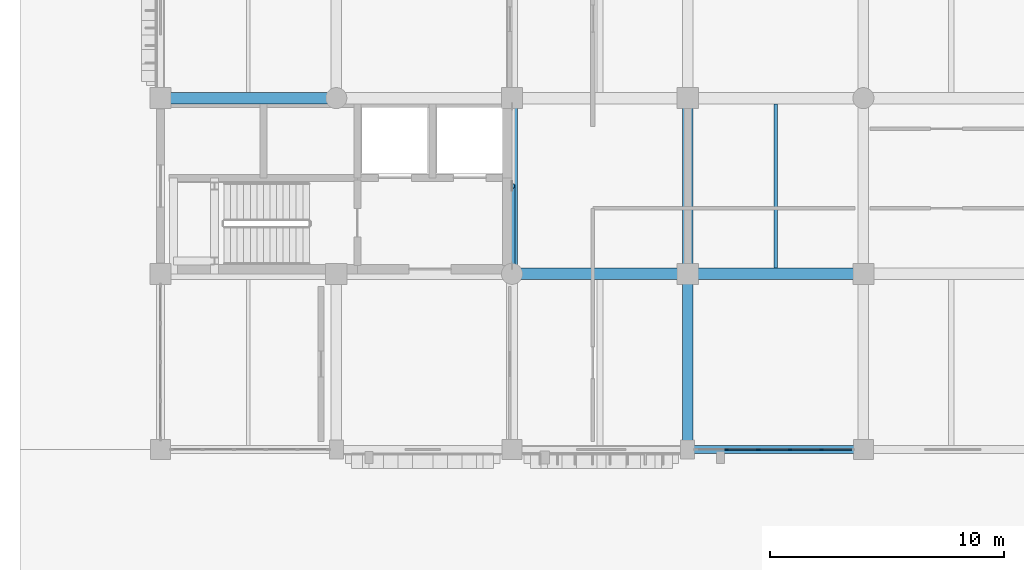
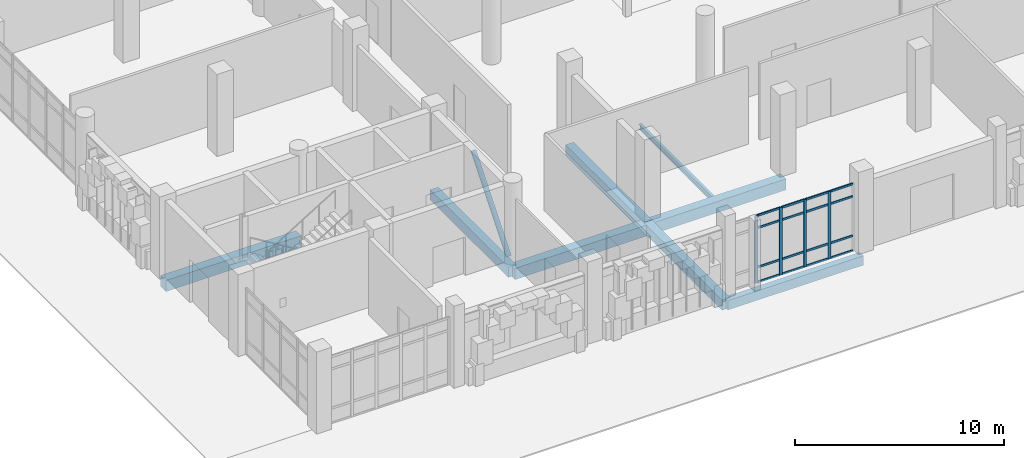
# One storey, part 15 of 125: 21 members, 8 beams, 1 element without a shape of its own.
"""IFC4 building model written with IfcOpenShell, lengths in metres."""

import ifcopenshell
import ifcopenshell.guid

model = None  # the IFC model being written
_history = None  # IfcOwnerHistory: only IFC2X3 demands one
_inside = {}  # id of a spatial element -> (the spatial element, [elements in it])
_under = {}  # id of a project, library or spatial element -> (it, [spatial elements below it])
_declared = {}  # id of a project -> (the project, [libraries it declares])
_typed = {}  # id of a type object -> (the type object, [elements of that type])
_made_of = {}  # id of a material, layer set ... -> (it, [elements and type objects made of it])


def new_model(schema):
    """Start an empty IFC model of exactly this schema.

    Asked for "IFC4X3", IfcOpenShell would pick the latest addendum, in which some entities
    have other attributes; the version numbers below select the first issue.
    IFC2X3 requires an IfcOwnerHistory on every rooted entity: one is made here for all.
    """
    global model, _history
    if schema == "IFC4X3":
        model = ifcopenshell.file(schema_version=(4, 3, 0, 0))
    else:
        model = ifcopenshell.file(schema=schema)
    _inside.clear()
    _under.clear()
    _declared.clear()
    _typed.clear()
    _made_of.clear()
    _history = None
    if model.schema == "IFC2X3":
        org = make("IfcOrganization", Name="unknown")
        user = make(
            "IfcPersonAndOrganization",
            ThePerson=make("IfcPerson", FamilyName="unknown"),
            TheOrganization=org,
        )
        app = make(
            "IfcApplication",
            ApplicationDeveloper=org,
            Version="unknown",
            ApplicationFullName="unknown",
            ApplicationIdentifier="unknown",
        )
        _history = make(
            "IfcOwnerHistory",
            OwningUser=user,
            OwningApplication=app,
            ChangeAction="ADDED",
            CreationDate=0,
        )
    return model


def make(cls, **values):
    """One entity of the class cls with the attributes given. An attribute that is None is left unset."""
    return model.create_entity(
        cls, **{name: value for name, value in values.items() if value is not None}
    )


def rooted(cls, **values):
    """An entity with a GlobalId (a new one), such as an element, a storey or a relation."""
    return make(cls, GlobalId=ifcopenshell.guid.new(), OwnerHistory=_history, **values)


def si_unit(unit_type, name, prefix=None):
    """IfcSIUnit, for example si_unit("LENGTHUNIT", "METRE", prefix="MILLI")."""
    return make("IfcSIUnit", UnitType=unit_type, Prefix=prefix, Name=name)


def assignment(units):
    """IfcUnitAssignment: the units of a project."""
    return None if units is None else make("IfcUnitAssignment", Units=units)


def point(xyz):
    """IfcCartesianPoint."""
    return None if xyz is None else make("IfcCartesianPoint", Coordinates=xyz)


def direction(xyz):
    """IfcDirection."""
    return None if xyz is None else make("IfcDirection", DirectionRatios=xyz)


def frame(location, z_axis=None, x_axis=None):
    """IfcAxis2Placement3D, a coordinate frame: its origin and axes. An axis left out is left unset."""
    return make(
        "IfcAxis2Placement3D",
        Location=point(location),
        Axis=direction(z_axis),
        RefDirection=direction(x_axis),
    )


def frame_2d(location, x_axis=None):
    """IfcAxis2Placement2D, a coordinate frame in the plane: its origin and x axis."""
    return make(
        "IfcAxis2Placement2D", Location=point(location), RefDirection=direction(x_axis)
    )


def origin():
    """The frame at (0, 0, 0) with its axes left unset."""
    return frame((0.0, 0.0, 0.0))


def origin_2d():
    """The frame at (0, 0) in the plane with its x axis left unset."""
    return frame_2d((0.0, 0.0))


def place(relative_to, where):
    """IfcLocalPlacement: puts the frame where relative to a parent placement (None: the world)."""
    return make(
        "IfcLocalPlacement", PlacementRelTo=relative_to, RelativePlacement=where
    )


def context(
    kind, dimensions, precision=None, world=None, true_north=None, identifier=None
):
    """IfcGeometricRepresentationContext, for example the 3D "Model" context."""
    return make(
        "IfcGeometricRepresentationContext",
        ContextIdentifier=identifier,
        ContextType=kind,
        CoordinateSpaceDimension=dimensions,
        Precision=precision,
        WorldCoordinateSystem=world,
        TrueNorth=true_north,
    )


def subcontext(parent, identifier, kind, view, scale=None):
    """IfcGeometricRepresentationSubContext, for example "Body" below "Model"."""
    return make(
        "IfcGeometricRepresentationSubContext",
        ContextIdentifier=identifier,
        ContextType=kind,
        ParentContext=parent,
        TargetScale=scale,
        TargetView=view,
    )


def project(units=None, contexts=None):
    """IfcProject with its units and contexts."""
    return rooted(
        "IfcProject",
        Name="project",
        RepresentationContexts=contexts,
        UnitsInContext=assignment(units),
    )


def spatial(cls, under=None, at=None, **own):
    """A site, building, storey or space (cls), placed at a placement, below another one or the project."""
    s = rooted(cls, ObjectPlacement=at, **own)
    if under is not None:
        _under.setdefault(under.id(), (under, []))[1].append(s)
    return s


def profile(cls, at=None, kind="AREA", **sizes):
    """A parametric profile (cls). Its sizes go by their IFC names, for example OverallWidth=200.0."""
    return make(cls, ProfileType=kind, Position=at, **sizes)


def rectangle(**sizes):
    """IfcRectangleProfileDef."""
    return profile("IfcRectangleProfileDef", **sizes)


def hollow_circle(**sizes):
    """IfcCircleHollowProfileDef."""
    return profile("IfcCircleHollowProfileDef", **sizes)


def i_section(**sizes):
    """IfcIShapeProfileDef."""
    return profile("IfcIShapeProfileDef", **sizes)


def extrude(swept, where, along, depth):
    """IfcExtrudedAreaSolid: the profile swept, set in the frame where, extruded along a direction by depth."""
    return make(
        "IfcExtrudedAreaSolid",
        SweptArea=swept,
        Position=where,
        ExtrudedDirection=direction(along),
        Depth=depth,
    )


def shape(context_of_items, identifier, shape_type, items):
    """IfcShapeRepresentation: the items that make up one representation, for example the "Body"."""
    return make(
        "IfcShapeRepresentation",
        ContextOfItems=context_of_items,
        RepresentationIdentifier=identifier,
        RepresentationType=shape_type,
        Items=items,
    )


def material(Name=None, Category=None):
    """IfcMaterial."""
    return make("IfcMaterial", Name=Name, Category=Category)


def layer(
    of_material, thickness, ventilated=None, Name=None, Category=None, Priority=None
):
    """IfcMaterialLayer: one layer of a wall or slab, of a material (None: an air gap)."""
    return make(
        "IfcMaterialLayer",
        Material=of_material,
        LayerThickness=thickness,
        IsVentilated=ventilated,
        Name=Name,
        Category=Category,
        Priority=Priority,
    )


def layer_set(layers, Name=None):
    """IfcMaterialLayerSet."""
    return make("IfcMaterialLayerSet", MaterialLayers=layers, LayerSetName=Name)


def material_profile(
    of_material, cross_section, Name=None, Category=None, Priority=None
):
    """IfcMaterialProfile: a cross section and its material."""
    return make(
        "IfcMaterialProfile",
        Name=Name,
        Material=of_material,
        Profile=cross_section,
        Priority=Priority,
        Category=Category,
    )


def profile_set(profiles, Name=None, composite=None):
    """IfcMaterialProfileSet."""
    return make(
        "IfcMaterialProfileSet",
        Name=Name,
        MaterialProfiles=profiles,
        CompositeProfile=composite,
    )


def made_of(thing, what):
    """Note that an element or type object is made of a material, layer set ...; save() writes the relation."""
    if what is not None:
        _made_of.setdefault(what.id(), (what, []))[1].append(thing)
    return thing


def type_object(cls, material=None, **own):
    """A type object (cls), such as IfcWallType, which elements share."""
    return made_of(rooted(cls, **own), material)


def element(
    cls,
    number,
    at=None,
    inside=None,
    cuts=None,
    type_object=None,
    material=None,
    context=None,
    identifier="Body",
    shape_type=None,
    held_by="IfcProductDefinitionShape",
    body=None,
    shapes=None,
    **own,
):
    """One element of the class cls, such as IfcWall. Its Tag is "e" and its number.

    at: its placement. inside: the storey or other place that contains it. cuts: it is an
    opening in that element (IfcRelVoidsElement). A single representation is given by context,
    identifier, shape_type and body (its items); several are given by shapes. held_by: the class
    of the entity that holds the representations. save() writes the other relations.
    """
    e = rooted(cls, Tag="e%d" % number, ObjectPlacement=at, **own)
    if body is not None:
        shapes = [shape(context, identifier, shape_type, body)]
    if shapes is not None:
        e.Representation = make(held_by, Representations=shapes)
    if inside is not None:
        _inside.setdefault(inside.id(), (inside, []))[1].append(e)
    if cuts is not None:
        rooted(
            "IfcRelVoidsElement", RelatingBuildingElement=cuts, RelatedOpeningElement=e
        )
    if type_object is not None:
        _typed.setdefault(type_object.id(), (type_object, []))[1].append(e)
    return made_of(e, material)


def aggregate(whole, parts):
    """IfcRelAggregates: a whole, such as a stair, and the parts it consists of."""
    return rooted("IfcRelAggregates", RelatingObject=whole, RelatedObjects=parts)


def save(model, path):
    """Write the relations noted so far, then the file.

    IfcRelAggregates (storeys below a building ...), IfcRelContainedInSpatialStructure (elements
    in a storey), IfcRelDefinesByType, IfcRelAssociatesMaterial and IfcRelDeclares: one each for
    every whole, place, type object, material and project.
    """
    for whole, parts in _under.values():
        aggregate(whole, parts)
    for where, things in _inside.values():
        rooted(
            "IfcRelContainedInSpatialStructure",
            RelatedElements=things,
            RelatingStructure=where,
        )
    for kind, things in _typed.values():
        rooted("IfcRelDefinesByType", RelatedObjects=things, RelatingType=kind)
    for what, things in _made_of.values():
        rooted("IfcRelAssociatesMaterial", RelatedObjects=things, RelatingMaterial=what)
    for by, libraries in _declared.values():
        rooted("IfcRelDeclares", RelatingContext=by, RelatedDefinitions=libraries)
    model.write(path)


model = new_model("IFC4")

# Units and contexts
model_context = context("Model", 3, precision=1e-05, world=origin(), true_north=direction((0.0, 1.0)))
body_context = subcontext(model_context, "Body", "Model", "MODEL_VIEW")
ifc_project = project(units=[si_unit("LENGTHUNIT", "METRE"), si_unit("AREAUNIT", "SQUARE_METRE"), si_unit("VOLUMEUNIT", "CUBIC_METRE"), si_unit("PLANEANGLEUNIT", "RADIAN"), si_unit("MASSUNIT", "GRAM", prefix="KILO")], contexts=[model_context])

# Site, building, storey
site_placement = place(None, origin())
site = spatial("IfcSite", under=ifc_project, at=site_placement, CompositionType="ELEMENT")
building_placement = place(site_placement, origin())
building = spatial("IfcBuilding", under=site, at=building_placement, Name="Dalvernix Boulevard General Hospital", CompositionType="ELEMENT")
storey_placement = place(building_placement, origin())
storey = spatial("IfcBuildingStorey", under=building, at=storey_placement, Name="L00", CompositionType="ELEMENT", Elevation=0.0)

# Beams
ifc_material_1 = material(Name="Concrete C35/45", Category="concrete")
ifc_material_profile_1 = material_profile(ifc_material_1, rectangle(XDim=0.5, YDim=0.64990234375, at=origin_2d()), Name="RCB 500x650")
ifc_profile_set_1 = profile_set([ifc_material_profile_1], Name="Concrete C35/45")
beam_type_1 = type_object("IfcBeamType", Name="BM-B-02-I", PredefinedType="BEAM", material=ifc_profile_set_1)
for number, where, z_axis, x_axis, name in (
    (1, (15.0, 7.5, -0.68505859375), (1.0, 0.0, 0.0), (0.0, 1.0, 0.0), "L00 E-W girder B:3-4"),
    (2, (22.5, 7.5, -0.68505859375), (1.0, 0.0, 0.0), (0.0, 1.0, 0.0), "L00 E-W girder B:4-5"),
    (3, (0.0, 15.0, -0.68505859375), (1.0, 0.0, 0.0), (0.0, 1.0, 0.0), "L00 E-W girder C:1-2"),
):
    element("IfcBeam", number, at=place(storey_placement, frame(where, z_axis=z_axis, x_axis=x_axis)), inside=storey, type_object=beam_type_1, Name=name, PredefinedType="BEAM", context=body_context, shape_type="SweptSolid", body=[
        extrude(rectangle(XDim=0.5, YDim=0.64990234375, at=origin_2d()), origin(), (0.0, 0.0, 1.0), 7.5),
    ])
ifc_material_profile_2 = material_profile(ifc_material_1, rectangle(XDim=0.449951171875, YDim=0.60009765625, at=origin_2d()), Name="RCB 450x600")
ifc_profile_set_2 = profile_set([ifc_material_profile_2], Name="Concrete C35/45")
beam_type_2 = type_object("IfcBeamType", Name="BM-B-04-I", PredefinedType="BEAM", material=ifc_profile_set_2)
for number, where, z_axis, x_axis, name in (
    (4, (15.0, 7.5, -0.659912109375), (0.0, 1.0, 0.0), (-1.0, 0.0, 0.0), "L00 N-S girder 3:B-C"),
    (5, (22.5, 0.0, -0.659912109375), (0.0, 1.0, 0.0), (-1.0, 0.0, 0.0), "L00 N-S girder 4:A-B"),
    (6, (22.5, 7.5, -0.659912109375), (0.0, 1.0, 0.0), (-1.0, 0.0, 0.0), "L00 N-S girder 4:B-C"),
):
    element("IfcBeam", number, at=place(storey_placement, frame(where, z_axis=z_axis, x_axis=x_axis)), inside=storey, type_object=beam_type_2, Name=name, PredefinedType="BEAM", context=body_context, shape_type="SweptSolid", body=[
        extrude(rectangle(XDim=0.449951171875, YDim=0.60009765625, at=origin_2d()), origin(), (0.0, 0.0, 1.0), 7.5),
    ])
ifc_material_2 = material(Name="Steel S355", Category="steel")
ifc_material_profile_3 = material_profile(ifc_material_2, i_section(OverallWidth=0.14990234375, OverallDepth=0.300048828125, WebThickness=0.007080078125, FlangeThickness=0.0107421875, FilletRadius=0.014892578125, at=origin_2d()), Name="IPE 300")
ifc_profile_set_3 = profile_set([ifc_material_profile_3], Name="Steel S355")
beam_type_3 = type_object("IfcBeamType", Name="BM-JB-03", PredefinedType="JOIST", material=ifc_profile_set_3)
beam_1_placement = place(storey_placement, frame((26.25, 7.75, -0.510009765625), z_axis=(0.0, 1.0, 0.0), x_axis=(-1.0, 0.0, 0.0)))
element("IfcBeam", 7, at=beam_1_placement, inside=storey, type_object=beam_type_3, Name="L00 secondary floor beam 4-B", PredefinedType="JOIST", context=body_context, shape_type="SweptSolid", body=[
    extrude(i_section(OverallWidth=0.14990234375, OverallDepth=0.300048828125, WebThickness=0.007080078125, FlangeThickness=0.0107421875, FilletRadius=0.014892578125, at=origin_2d()), origin(), (0.0, 0.0, 1.0), 7.0),
])
ifc_material_profile_4 = material_profile(ifc_material_1, rectangle(XDim=0.35009765625, YDim=0.550048828125, at=origin_2d()), Name="RCB 350x550")
ifc_profile_set_4 = profile_set([ifc_material_profile_4], Name="Concrete C35/45")
beam_type_4 = type_object("IfcBeamType", Name="BM-SB-01-E", PredefinedType="SPANDREL", material=ifc_profile_set_4)
beam_2_placement = place(storey_placement, frame((22.5, 0.0, -0.635009765625), z_axis=(1.0, 0.0, 0.0), x_axis=(0.0, 1.0, 0.0)))
element("IfcBeam", 8, at=beam_2_placement, inside=storey, type_object=beam_type_4, Name="L00 E-W girder A:4-5", PredefinedType="SPANDREL", context=body_context, shape_type="SweptSolid", body=[
    extrude(rectangle(XDim=0.35009765625, YDim=0.550048828125, at=origin_2d()), origin(), (0.0, 0.0, 1.0), 7.5),
])

# Member
ifc_material_profile_5 = material_profile(ifc_material_2, hollow_circle(Radius=0.136474609375, WallThickness=0.010009765625, at=origin_2d()), Name="CHS 273.0x10.0")
ifc_profile_set_5 = profile_set([ifc_material_profile_5], Name="Steel S355")
member_type_1 = type_object("IfcMemberType", Name="MEM-BR-01", PredefinedType="BRACE", material=ifc_profile_set_5)
member_1_placement = place(storey_placement, frame((15.0, 7.85009765625, 0.0), z_axis=(0.0, 0.63374319852, 0.773543507716), x_axis=(-1.0, 0.0, 0.0)))
element("IfcMember", 9, at=member_1_placement, inside=storey, type_object=member_type_1, Name="L00 braced frame chevron 1A", PredefinedType="BRACE", context=body_context, shape_type="SweptSolid", body=[
    extrude(hollow_circle(Radius=0.136474609375, WallThickness=0.010009765625, at=origin_2d()), origin(), (0.0, 0.0, 1.0), 5.36474609375),
])

# Curtain wall, members
ifc_material_3 = material(Name="Thermally broken aluminium and solar-control glass curtain wall", Category="aluminium")
ifc_layer = layer(ifc_material_3, 0.159912109375)
ifc_layer_set = layer_set([ifc_layer], Name="Thermally broken aluminium and solar-control glass curtain wall (CW-CW-A-68x40)")
curtain_wall_type = type_object("IfcCurtainWallType", Name="CW-CW-A-68x40", PredefinedType="USERDEFINED", material=ifc_layer_set)
curtain_wall_placement = place(storey_placement, origin())
curtain_wall = element("IfcCurtainWall", 10, at=curtain_wall_placement, inside=storey, type_object=curtain_wall_type, Name="L00 curtain wall CW-A-68x40 3-0", ObjectType="GLAZED FACADE", PredefinedType="USERDEFINED")
ifc_material_4 = material(Name="Aluminium EN AW-6060", Category="aluminium")
ifc_material_profile_6 = material_profile(ifc_material_4, rectangle(XDim=0.06005859375, YDim=0.159912109375, at=origin_2d()), Name="ALU MULL 60x160")
ifc_profile_set_6 = profile_set([ifc_material_profile_6], Name="Aluminium EN AW-6060")
member_type_2 = type_object("IfcMemberType", Name="MEM-CW-M1", PredefinedType="MULLION", material=ifc_profile_set_6)
member_2_placement = place(storey_placement, frame((28.214111328125, 0.0, 0.0), z_axis=(0.0, 0.0, 1.0), x_axis=(0.0, -1.0, 0.0)))
member_2 = element("IfcMember", 11, at=member_2_placement, type_object=member_type_2, Name="CW-A-68x40 mullion 2", PredefinedType="MULLION", context=body_context, shape_type="SweptSolid", body=[
    extrude(rectangle(XDim=0.06005859375, YDim=0.159912109375, at=origin_2d()), origin(), (0.0, 0.0, 1.0), 3.949951171875),
])
member_3_placement = place(storey_placement, frame((26.863037109375, 0.0, 0.0), z_axis=(0.0, 0.0, 1.0), x_axis=(0.0, -1.0, 0.0)))
member_3 = element("IfcMember", 12, at=member_3_placement, type_object=member_type_2, Name="CW-A-68x40 mullion 3", PredefinedType="MULLION", context=body_context, shape_type="SweptSolid", body=[
    extrude(rectangle(XDim=0.06005859375, YDim=0.159912109375, at=origin_2d()), origin(), (0.0, 0.0, 1.0), 3.949951171875),
])
member_4_placement = place(storey_placement, frame((25.511962890625, 0.0, 0.0), z_axis=(0.0, 0.0, 1.0), x_axis=(0.0, -1.0, 0.0)))
member_4 = element("IfcMember", 13, at=member_4_placement, type_object=member_type_2, Name="CW-A-68x40 mullion 4", PredefinedType="MULLION", context=body_context, shape_type="SweptSolid", body=[
    extrude(rectangle(XDim=0.06005859375, YDim=0.159912109375, at=origin_2d()), origin(), (0.0, 0.0, 1.0), 3.949951171875),
])
member_5_placement = place(storey_placement, frame((24.160888671875, 0.0, 0.0), z_axis=(0.0, 0.0, 1.0), x_axis=(0.0, -1.0, 0.0)))
member_5 = element("IfcMember", 14, at=member_5_placement, type_object=member_type_2, Name="CW-A-68x40 mullion 5", PredefinedType="MULLION", context=body_context, shape_type="SweptSolid", body=[
    extrude(rectangle(XDim=0.06005859375, YDim=0.159912109375, at=origin_2d()), origin(), (0.0, 0.0, 1.0), 3.949951171875),
])
ifc_material_profile_7 = material_profile(ifc_material_4, rectangle(XDim=0.06005859375, YDim=0.1201171875, at=origin_2d()), Name="ALU TRAN 60x120")
ifc_profile_set_7 = profile_set([ifc_material_profile_7], Name="Aluminium EN AW-6060")
member_type_3 = type_object("IfcMemberType", Name="MEM-CW-T1", PredefinedType="USERDEFINED", material=ifc_profile_set_7)
member_6_placement = place(storey_placement, frame((29.5048828125, 0.0, 0.030029296875), z_axis=(-1.0, 0.0, 0.0), x_axis=(0.0, -1.0, 0.0)))
member_6 = element("IfcMember", 15, at=member_6_placement, type_object=member_type_3, Name="CW-A-68x40 transom 1.1", ObjectType="TRANSOM", PredefinedType="USERDEFINED", context=body_context, shape_type="SweptSolid", body=[
    extrude(rectangle(XDim=0.06005859375, YDim=0.1201171875, at=origin_2d()), origin(), (0.0, 0.0, 1.0), 1.260986328125),
])
member_7_placement = place(storey_placement, frame((29.5048828125, 0.0, 0.89990234375), z_axis=(-1.0, 0.0, 0.0), x_axis=(0.0, -1.0, 0.0)))
member_7 = element("IfcMember", 16, at=member_7_placement, type_object=member_type_3, Name="CW-A-68x40 transom 1.2", ObjectType="TRANSOM", PredefinedType="USERDEFINED", context=body_context, shape_type="SweptSolid", body=[
    extrude(rectangle(XDim=0.06005859375, YDim=0.1201171875, at=origin_2d()), origin(), (0.0, 0.0, 1.0), 1.260986328125),
])
member_8_placement = place(storey_placement, frame((29.5048828125, 0.0, 3.199951171875), z_axis=(-1.0, 0.0, 0.0), x_axis=(0.0, -1.0, 0.0)))
member_8 = element("IfcMember", 17, at=member_8_placement, type_object=member_type_3, Name="CW-A-68x40 transom 1.3", ObjectType="TRANSOM", PredefinedType="USERDEFINED", context=body_context, shape_type="SweptSolid", body=[
    extrude(rectangle(XDim=0.06005859375, YDim=0.1201171875, at=origin_2d()), origin(), (0.0, 0.0, 1.0), 1.260986328125),
])
member_9_placement = place(storey_placement, frame((29.5048828125, 0.0, 3.919921875), z_axis=(-1.0, 0.0, 0.0), x_axis=(0.0, -1.0, 0.0)))
member_9 = element("IfcMember", 18, at=member_9_placement, type_object=member_type_3, Name="CW-A-68x40 transom 1.4", ObjectType="TRANSOM", PredefinedType="USERDEFINED", context=body_context, shape_type="SweptSolid", body=[
    extrude(rectangle(XDim=0.06005859375, YDim=0.1201171875, at=origin_2d()), origin(), (0.0, 0.0, 1.0), 1.260986328125),
])
member_10_placement = place(storey_placement, frame((28.18408203125, 0.0, 0.030029296875), z_axis=(-1.0, 0.0, 0.0), x_axis=(0.0, -1.0, 0.0)))
member_10 = element("IfcMember", 19, at=member_10_placement, type_object=member_type_3, Name="CW-A-68x40 transom 2.1", ObjectType="TRANSOM", PredefinedType="USERDEFINED", context=body_context, shape_type="SweptSolid", body=[
    extrude(rectangle(XDim=0.06005859375, YDim=0.1201171875, at=origin_2d()), origin(), (0.0, 0.0, 1.0), 1.291015625),
])
member_11_placement = place(storey_placement, frame((28.18408203125, 0.0, 0.89990234375), z_axis=(-1.0, 0.0, 0.0), x_axis=(0.0, -1.0, 0.0)))
member_11 = element("IfcMember", 20, at=member_11_placement, type_object=member_type_3, Name="CW-A-68x40 transom 2.2", ObjectType="TRANSOM", PredefinedType="USERDEFINED", context=body_context, shape_type="SweptSolid", body=[
    extrude(rectangle(XDim=0.06005859375, YDim=0.1201171875, at=origin_2d()), origin(), (0.0, 0.0, 1.0), 1.291015625),
])
member_12_placement = place(storey_placement, frame((28.18408203125, 0.0, 3.199951171875), z_axis=(-1.0, 0.0, 0.0), x_axis=(0.0, -1.0, 0.0)))
member_12 = element("IfcMember", 21, at=member_12_placement, type_object=member_type_3, Name="CW-A-68x40 transom 2.3", ObjectType="TRANSOM", PredefinedType="USERDEFINED", context=body_context, shape_type="SweptSolid", body=[
    extrude(rectangle(XDim=0.06005859375, YDim=0.1201171875, at=origin_2d()), origin(), (0.0, 0.0, 1.0), 1.291015625),
])
member_13_placement = place(storey_placement, frame((28.18408203125, 0.0, 3.919921875), z_axis=(-1.0, 0.0, 0.0), x_axis=(0.0, -1.0, 0.0)))
member_13 = element("IfcMember", 22, at=member_13_placement, type_object=member_type_3, Name="CW-A-68x40 transom 2.4", ObjectType="TRANSOM", PredefinedType="USERDEFINED", context=body_context, shape_type="SweptSolid", body=[
    extrude(rectangle(XDim=0.06005859375, YDim=0.1201171875, at=origin_2d()), origin(), (0.0, 0.0, 1.0), 1.291015625),
])
member_14_placement = place(storey_placement, frame((26.8330078125, 0.0, 0.030029296875), z_axis=(-1.0, 0.0, 0.0), x_axis=(0.0, -1.0, 0.0)))
member_14 = element("IfcMember", 23, at=member_14_placement, type_object=member_type_3, Name="CW-A-68x40 transom 3.1", ObjectType="TRANSOM", PredefinedType="USERDEFINED", context=body_context, shape_type="SweptSolid", body=[
    extrude(rectangle(XDim=0.06005859375, YDim=0.1201171875, at=origin_2d()), origin(), (0.0, 0.0, 1.0), 1.291015625),
])
member_15_placement = place(storey_placement, frame((26.8330078125, 0.0, 0.89990234375), z_axis=(-1.0, 0.0, 0.0), x_axis=(0.0, -1.0, 0.0)))
member_15 = element("IfcMember", 24, at=member_15_placement, type_object=member_type_3, Name="CW-A-68x40 transom 3.2", ObjectType="TRANSOM", PredefinedType="USERDEFINED", context=body_context, shape_type="SweptSolid", body=[
    extrude(rectangle(XDim=0.06005859375, YDim=0.1201171875, at=origin_2d()), origin(), (0.0, 0.0, 1.0), 1.291015625),
])
member_16_placement = place(storey_placement, frame((26.8330078125, 0.0, 3.199951171875), z_axis=(-1.0, 0.0, 0.0), x_axis=(0.0, -1.0, 0.0)))
member_16 = element("IfcMember", 25, at=member_16_placement, type_object=member_type_3, Name="CW-A-68x40 transom 3.3", ObjectType="TRANSOM", PredefinedType="USERDEFINED", context=body_context, shape_type="SweptSolid", body=[
    extrude(rectangle(XDim=0.06005859375, YDim=0.1201171875, at=origin_2d()), origin(), (0.0, 0.0, 1.0), 1.291015625),
])
member_17_placement = place(storey_placement, frame((26.8330078125, 0.0, 3.919921875), z_axis=(-1.0, 0.0, 0.0), x_axis=(0.0, -1.0, 0.0)))
member_17 = element("IfcMember", 26, at=member_17_placement, type_object=member_type_3, Name="CW-A-68x40 transom 3.4", ObjectType="TRANSOM", PredefinedType="USERDEFINED", context=body_context, shape_type="SweptSolid", body=[
    extrude(rectangle(XDim=0.06005859375, YDim=0.1201171875, at=origin_2d()), origin(), (0.0, 0.0, 1.0), 1.291015625),
])
member_18_placement = place(storey_placement, frame((25.48193359375, 0.0, 0.030029296875), z_axis=(-1.0, 0.0, 0.0), x_axis=(0.0, -1.0, 0.0)))
member_18 = element("IfcMember", 27, at=member_18_placement, type_object=member_type_3, Name="CW-A-68x40 transom 4.1", ObjectType="TRANSOM", PredefinedType="USERDEFINED", context=body_context, shape_type="SweptSolid", body=[
    extrude(rectangle(XDim=0.06005859375, YDim=0.1201171875, at=origin_2d()), origin(), (0.0, 0.0, 1.0), 1.291015625),
])
member_19_placement = place(storey_placement, frame((25.48193359375, 0.0, 0.89990234375), z_axis=(-1.0, 0.0, 0.0), x_axis=(0.0, -1.0, 0.0)))
member_19 = element("IfcMember", 28, at=member_19_placement, type_object=member_type_3, Name="CW-A-68x40 transom 4.2", ObjectType="TRANSOM", PredefinedType="USERDEFINED", context=body_context, shape_type="SweptSolid", body=[
    extrude(rectangle(XDim=0.06005859375, YDim=0.1201171875, at=origin_2d()), origin(), (0.0, 0.0, 1.0), 1.291015625),
])
member_20_placement = place(storey_placement, frame((25.48193359375, 0.0, 3.199951171875), z_axis=(-1.0, 0.0, 0.0), x_axis=(0.0, -1.0, 0.0)))
member_20 = element("IfcMember", 29, at=member_20_placement, type_object=member_type_3, Name="CW-A-68x40 transom 4.3", ObjectType="TRANSOM", PredefinedType="USERDEFINED", context=body_context, shape_type="SweptSolid", body=[
    extrude(rectangle(XDim=0.06005859375, YDim=0.1201171875, at=origin_2d()), origin(), (0.0, 0.0, 1.0), 1.291015625),
])
member_21_placement = place(storey_placement, frame((25.48193359375, 0.0, 3.919921875), z_axis=(-1.0, 0.0, 0.0), x_axis=(0.0, -1.0, 0.0)))
member_21 = element("IfcMember", 30, at=member_21_placement, type_object=member_type_3, Name="CW-A-68x40 transom 4.4", ObjectType="TRANSOM", PredefinedType="USERDEFINED", context=body_context, shape_type="SweptSolid", body=[
    extrude(rectangle(XDim=0.06005859375, YDim=0.1201171875, at=origin_2d()), origin(), (0.0, 0.0, 1.0), 1.291015625),
])
aggregate(curtain_wall, [member_2, member_3, member_4, member_5, member_6, member_7, member_8, member_9, member_10, member_11, member_12, member_13, member_14, member_15, member_16, member_17, member_18, member_19, member_20, member_21])

save(model, "model.ifc")
